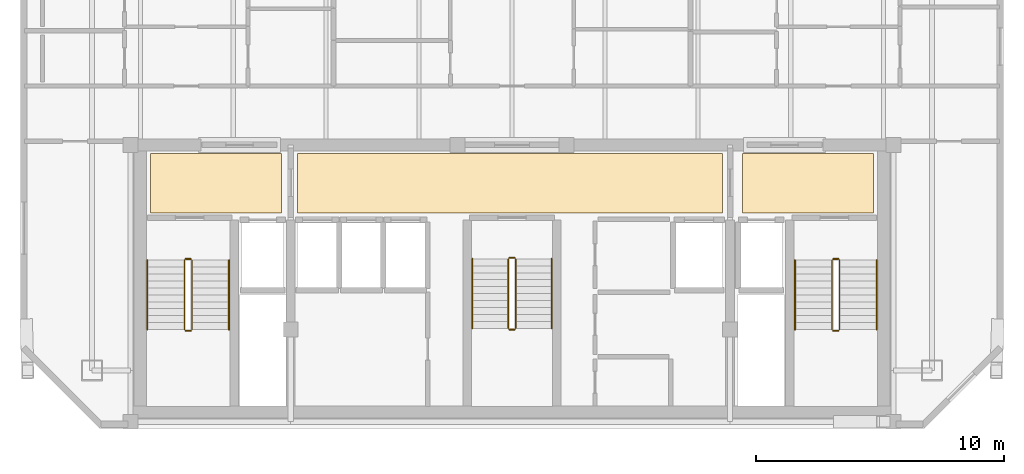
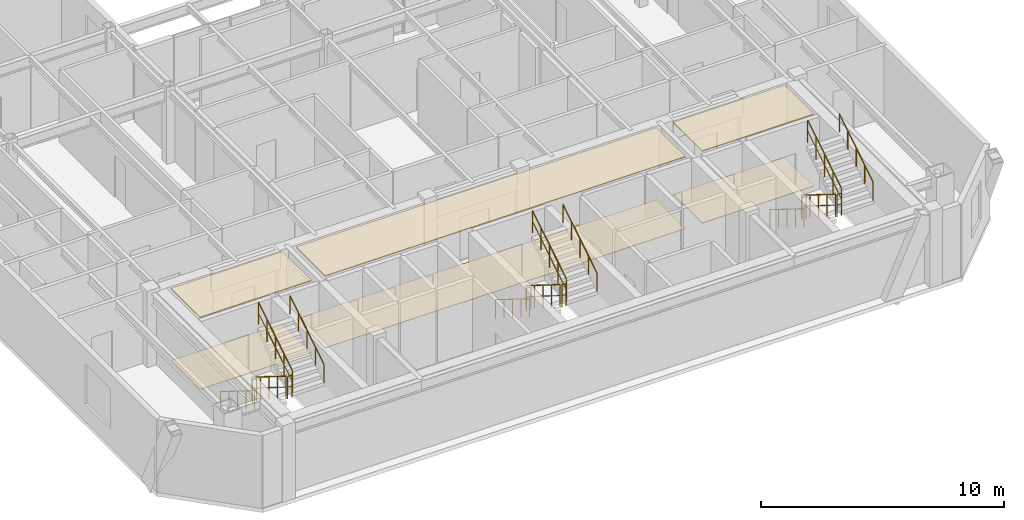
# One storey, part 10 of 10: 18 railings, 6 coverings.
"""IFC4 building model written with IfcOpenShell, lengths in metres."""

from ifc_helpers import new_model, si_unit, direction, frame, origin, origin_2d, place, context, subcontext, project, spatial, polyline, circle, outline, extrude, material, layer, layer_set, type_object, element, save


model = new_model("IFC4")

# Units and contexts
model_context = context("Model", 3, precision=1e-05, world=origin(), true_north=direction((0.0, 1.0)))
body_context = subcontext(model_context, "Body", "Model", "MODEL_VIEW")
ifc_project = project(units=[si_unit("LENGTHUNIT", "METRE"), si_unit("AREAUNIT", "SQUARE_METRE"), si_unit("VOLUMEUNIT", "CUBIC_METRE"), si_unit("PLANEANGLEUNIT", "RADIAN"), si_unit("MASSUNIT", "GRAM", prefix="KILO")], contexts=[model_context])

# Site, building, storey
site_placement = place(None, origin())
site = spatial("IfcSite", under=ifc_project, at=site_placement, CompositionType="ELEMENT")
building_placement = place(site_placement, origin())
building = spatial("IfcBuilding", under=site, at=building_placement, Name="Ventersveld Concourse Tower", CompositionType="ELEMENT")
storey_placement = place(building_placement, frame((0.0, 0.0, 313.050048828125)))
storey = spatial("IfcBuildingStorey", under=building, at=storey_placement, Name="L77", CompositionType="ELEMENT", Elevation=313.050048828125)

# Coverings
ifc_material_1 = material(Name="Mineral-fibre acoustic ceiling tile", Category="gypsum")
ifc_layer_1 = layer(ifc_material_1, 0.0400390625)
ifc_layer_set_1 = layer_set([ifc_layer_1], Name="Mineral-fibre acoustic ceiling tile")
covering_type_1 = type_object("IfcCoveringType", Name="COV-CEIL-ACOUSTIC", PredefinedType="CEILING", material=ifc_layer_set_1)
covering_1_placement = place(storey_placement, frame((0.0, 0.0, 3.60986328125)))
element("IfcCovering", 1, at=covering_1_placement, inside=storey, type_object=covering_type_1, Name="L77 North Lift Lobby Acoustic Ceiling", PredefinedType="CEILING", context=body_context, shape_type="SweptSolid", body=[
    extrude(outline(polyline([(20.10009765625, 8.699951171875), (37.25, 8.699951171875), (37.25, 11.10009765625), (20.10009765625, 11.10009765625), (20.10009765625, 8.699951171875)])), origin(), (0.0, 0.0, 1.0), 0.0400390625),
])
covering_2_placement = place(storey_placement, frame((0.0, 0.0, 3.60986328125)))
element("IfcCovering", 2, at=covering_2_placement, inside=storey, type_object=covering_type_1, Name="L77 West Firefighting Lobby Acoustic Ceiling", PredefinedType="CEILING", context=body_context, shape_type="SweptSolid", body=[
    extrude(outline(polyline([(14.14990234375, 8.699951171875), (19.449951171875, 8.699951171875), (19.449951171875, 11.10009765625), (14.14990234375, 11.10009765625), (14.14990234375, 8.699951171875)])), origin(), (0.0, 0.0, 1.0), 0.0400390625),
])
covering_3_placement = place(storey_placement, frame((0.0, 0.0, 3.60986328125)))
element("IfcCovering", 3, at=covering_3_placement, inside=storey, type_object=covering_type_1, Name="L77 East Firefighting Lobby Acoustic Ceiling", PredefinedType="CEILING", context=body_context, shape_type="SweptSolid", body=[
    extrude(outline(polyline([(38.050048828125, 8.699951171875), (43.35009765625, 8.699951171875), (43.35009765625, 11.10009765625), (38.050048828125, 11.10009765625), (38.050048828125, 8.699951171875)])), origin(), (0.0, 0.0, 1.0), 0.0400390625),
])
ifc_material_2 = material(Name="Polished Highveld granite terrazzo", Category="masonry")
ifc_layer_2 = layer(ifc_material_2, 0.02001953125)
ifc_layer_set_2 = layer_set([ifc_layer_2], Name="Polished Highveld granite terrazzo")
covering_type_2 = type_object("IfcCoveringType", Name="COV-FLOOR-TERRAZZO", PredefinedType="FLOORING", material=ifc_layer_set_2)
covering_4_placement = place(storey_placement, origin())
element("IfcCovering", 4, at=covering_4_placement, inside=storey, type_object=covering_type_2, Name="L77 North Lift Lobby Terrazzo Flooring", PredefinedType="FLOORING", context=body_context, shape_type="SweptSolid", body=[
    extrude(outline(polyline([(20.10009765625, 8.699951171875), (37.25, 8.699951171875), (37.25, 11.10009765625), (20.10009765625, 11.10009765625), (20.10009765625, 8.699951171875)])), origin(), (0.0, 0.0, 1.0), 0.02001953125),
])
covering_5_placement = place(storey_placement, origin())
element("IfcCovering", 5, at=covering_5_placement, inside=storey, type_object=covering_type_2, Name="L77 West Firefighting Lobby Terrazzo Flooring", PredefinedType="FLOORING", context=body_context, shape_type="SweptSolid", body=[
    extrude(outline(polyline([(14.14990234375, 8.699951171875), (19.449951171875, 8.699951171875), (19.449951171875, 11.10009765625), (14.14990234375, 11.10009765625), (14.14990234375, 8.699951171875)])), origin(), (0.0, 0.0, 1.0), 0.02001953125),
])
covering_6_placement = place(storey_placement, origin())
element("IfcCovering", 6, at=covering_6_placement, inside=storey, type_object=covering_type_2, Name="L77 East Firefighting Lobby Terrazzo Flooring", PredefinedType="FLOORING", context=body_context, shape_type="SweptSolid", body=[
    extrude(outline(polyline([(38.050048828125, 8.699951171875), (43.35009765625, 8.699951171875), (43.35009765625, 11.10009765625), (38.050048828125, 11.10009765625), (38.050048828125, 8.699951171875)])), origin(), (0.0, 0.0, 1.0), 0.02001953125),
])

# Railings
ifc_material_3 = material(Name="Brushed stainless steel 316", Category="steel")
railing_type_1 = type_object("IfcRailingType", Name="GD-BAL-115", PredefinedType="GUARDRAIL", material=ifc_material_3)
railing_1_placement = place(storey_placement, frame((15.530029296875, 6.800048828125, 0.175048828125)))
element("IfcRailing", 7, at=railing_1_placement, inside=storey, type_object=railing_type_1, Name="L77 ST-01 stair guard 1", PredefinedType="GUARDRAIL", context=body_context, shape_type="SweptSolid", body=[
    extrude(circle(Radius=0.02392578125, at=origin_2d()), frame((0.0, 0.0, 1.1259765625), z_axis=(0.0, -0.848002457836, 0.529992293815), x_axis=(1.0, 0.0, 0.0)), (0.0, 0.0, 1.0), 3.302001953125),
    extrude(circle(Radius=0.01611328125, at=origin_2d()), frame((0.0, 0.0, 0.574951171875), z_axis=(0.0, -0.848002457836, 0.529992293815), x_axis=(1.0, 0.0, 0.0)), (0.0, 0.0, 1.0), 3.302001953125),
    extrude(circle(Radius=0.02099609375, at=origin_2d()), origin(), (0.0, 0.0, 1.0), 1.101806640625),
    extrude(circle(Radius=0.02099609375, at=origin_2d()), frame((0.0, -0.699951171875, 0.4375)), (0.0, 0.0, 1.0), 1.101806640625),
    extrude(circle(Radius=0.02099609375, at=origin_2d()), frame((0.0, -1.39990234375, 0.875)), (0.0, 0.0, 1.0), 1.101806640625),
    extrude(circle(Radius=0.02099609375, at=origin_2d()), frame((0.0, -2.10009765625, 1.3125)), (0.0, 0.0, 1.0), 1.101806640625),
    extrude(circle(Radius=0.02099609375, at=origin_2d()), frame((0.0, -2.800048828125, 1.75)), (0.0, 0.0, 1.0), 1.101806640625),
])
railing_2_placement = place(storey_placement, frame((15.580078125, 3.949951171875, 1.925048828125)))
element("IfcRailing", 8, at=railing_2_placement, inside=storey, type_object=railing_type_1, Name="L77 ST-01 stair guard 2", PredefinedType="GUARDRAIL", context=body_context, shape_type="SweptSolid", body=[
    extrude(circle(Radius=0.02392578125, at=origin_2d()), frame((0.0, 0.0, 1.1259765625), z_axis=(1.0, 0.0, 0.0), x_axis=(0.0, 1.0, 0.0)), (0.0, 0.0, 1.0), 0.199951171875),
    extrude(circle(Radius=0.01611328125, at=origin_2d()), frame((0.0, 0.0, 0.574951171875), z_axis=(1.0, 0.0, 0.0), x_axis=(0.0, 1.0, 0.0)), (0.0, 0.0, 1.0), 0.199951171875),
    extrude(circle(Radius=0.02099609375, at=origin_2d()), origin(), (0.0, 0.0, 1.0), 1.101806640625),
    extrude(circle(Radius=0.02099609375, at=origin_2d()), frame((0.199951171875, 0.0, 0.0)), (0.0, 0.0, 1.0), 1.101806640625),
])
railing_3_placement = place(storey_placement, frame((15.830078125, 4.0, 2.099853515625)))
element("IfcRailing", 9, at=railing_3_placement, inside=storey, type_object=railing_type_1, Name="L77 ST-01 stair guard 3", PredefinedType="GUARDRAIL", context=body_context, shape_type="SweptSolid", body=[
    extrude(circle(Radius=0.02392578125, at=origin_2d()), frame((0.0, 0.0, 1.1259765625), z_axis=(0.0, 0.848002457836, 0.529992293815), x_axis=(-1.0, 0.0, 0.0)), (0.0, 0.0, 1.0), 3.302001953125),
    extrude(circle(Radius=0.01611328125, at=origin_2d()), frame((0.0, 0.0, 0.574951171875), z_axis=(0.0, 0.848002457836, 0.529992293815), x_axis=(-1.0, 0.0, 0.0)), (0.0, 0.0, 1.0), 3.302001953125),
    extrude(circle(Radius=0.02099609375, at=origin_2d()), origin(), (0.0, 0.0, 1.0), 1.101806640625),
    extrude(circle(Radius=0.02099609375, at=origin_2d()), frame((0.0, 0.699951171875, 0.4375)), (0.0, 0.0, 1.0), 1.101806640625),
    extrude(circle(Radius=0.02099609375, at=origin_2d()), frame((0.0, 1.39990234375, 0.875)), (0.0, 0.0, 1.0), 1.101806640625),
    extrude(circle(Radius=0.02099609375, at=origin_2d()), frame((0.0, 2.10009765625, 1.3125)), (0.0, 0.0, 1.0), 1.101806640625),
    extrude(circle(Radius=0.02099609375, at=origin_2d()), frame((0.0, 2.800048828125, 1.75)), (0.0, 0.0, 1.0), 1.101806640625),
])
railing_4_placement = place(storey_placement, frame((15.580078125, 6.85009765625, 0.0)))
element("IfcRailing", 10, at=railing_4_placement, inside=storey, type_object=railing_type_1, Name="L77 ST-01 stair guard 4", PredefinedType="GUARDRAIL", context=body_context, shape_type="SweptSolid", body=[
    extrude(circle(Radius=0.02392578125, at=origin_2d()), frame((0.0, 0.0, 1.1259765625), z_axis=(1.0, 0.0, 0.0), x_axis=(0.0, 1.0, 0.0)), (0.0, 0.0, 1.0), 0.199951171875),
    extrude(circle(Radius=0.01611328125, at=origin_2d()), frame((0.0, 0.0, 0.574951171875), z_axis=(1.0, 0.0, 0.0), x_axis=(0.0, 1.0, 0.0)), (0.0, 0.0, 1.0), 0.199951171875),
    extrude(circle(Radius=0.02099609375, at=origin_2d()), origin(), (0.0, 0.0, 1.0), 1.101806640625),
    extrude(circle(Radius=0.02099609375, at=origin_2d()), frame((0.199951171875, 0.0, 0.0)), (0.0, 0.0, 1.0), 1.101806640625),
])
railing_5_placement = place(storey_placement, frame((41.669921875, 6.800048828125, 0.175048828125)))
element("IfcRailing", 11, at=railing_5_placement, inside=storey, type_object=railing_type_1, Name="L77 ST-02 stair guard 1", PredefinedType="GUARDRAIL", context=body_context, shape_type="SweptSolid", body=[
    extrude(circle(Radius=0.02392578125, at=origin_2d()), frame((0.0, 0.0, 1.1259765625), z_axis=(0.0, -0.848002457836, 0.529992293815), x_axis=(1.0, 0.0, 0.0)), (0.0, 0.0, 1.0), 3.302001953125),
    extrude(circle(Radius=0.01611328125, at=origin_2d()), frame((0.0, 0.0, 0.574951171875), z_axis=(0.0, -0.848002457836, 0.529992293815), x_axis=(1.0, 0.0, 0.0)), (0.0, 0.0, 1.0), 3.302001953125),
    extrude(circle(Radius=0.02099609375, at=origin_2d()), origin(), (0.0, 0.0, 1.0), 1.101806640625),
    extrude(circle(Radius=0.02099609375, at=origin_2d()), frame((0.0, -0.699951171875, 0.4375)), (0.0, 0.0, 1.0), 1.101806640625),
    extrude(circle(Radius=0.02099609375, at=origin_2d()), frame((0.0, -1.39990234375, 0.875)), (0.0, 0.0, 1.0), 1.101806640625),
    extrude(circle(Radius=0.02099609375, at=origin_2d()), frame((0.0, -2.10009765625, 1.3125)), (0.0, 0.0, 1.0), 1.101806640625),
    extrude(circle(Radius=0.02099609375, at=origin_2d()), frame((0.0, -2.800048828125, 1.75)), (0.0, 0.0, 1.0), 1.101806640625),
])
railing_6_placement = place(storey_placement, frame((41.719970703125, 3.949951171875, 1.925048828125)))
element("IfcRailing", 12, at=railing_6_placement, inside=storey, type_object=railing_type_1, Name="L77 ST-02 stair guard 2", PredefinedType="GUARDRAIL", context=body_context, shape_type="SweptSolid", body=[
    extrude(circle(Radius=0.02392578125, at=origin_2d()), frame((0.0, 0.0, 1.1259765625), z_axis=(1.0, 0.0, 0.0), x_axis=(0.0, 1.0, 0.0)), (0.0, 0.0, 1.0), 0.199951171875),
    extrude(circle(Radius=0.01611328125, at=origin_2d()), frame((0.0, 0.0, 0.574951171875), z_axis=(1.0, 0.0, 0.0), x_axis=(0.0, 1.0, 0.0)), (0.0, 0.0, 1.0), 0.199951171875),
    extrude(circle(Radius=0.02099609375, at=origin_2d()), origin(), (0.0, 0.0, 1.0), 1.101806640625),
    extrude(circle(Radius=0.02099609375, at=origin_2d()), frame((0.199951171875, 0.0, 0.0)), (0.0, 0.0, 1.0), 1.101806640625),
])
railing_7_placement = place(storey_placement, frame((41.969970703125, 4.0, 2.099853515625)))
element("IfcRailing", 13, at=railing_7_placement, inside=storey, type_object=railing_type_1, Name="L77 ST-02 stair guard 3", PredefinedType="GUARDRAIL", context=body_context, shape_type="SweptSolid", body=[
    extrude(circle(Radius=0.02392578125, at=origin_2d()), frame((0.0, 0.0, 1.1259765625), z_axis=(0.0, 0.848002457836, 0.529992293815), x_axis=(-1.0, 0.0, 0.0)), (0.0, 0.0, 1.0), 3.302001953125),
    extrude(circle(Radius=0.01611328125, at=origin_2d()), frame((0.0, 0.0, 0.574951171875), z_axis=(0.0, 0.848002457836, 0.529992293815), x_axis=(-1.0, 0.0, 0.0)), (0.0, 0.0, 1.0), 3.302001953125),
    extrude(circle(Radius=0.02099609375, at=origin_2d()), origin(), (0.0, 0.0, 1.0), 1.101806640625),
    extrude(circle(Radius=0.02099609375, at=origin_2d()), frame((0.0, 0.699951171875, 0.4375)), (0.0, 0.0, 1.0), 1.101806640625),
    extrude(circle(Radius=0.02099609375, at=origin_2d()), frame((0.0, 1.39990234375, 0.875)), (0.0, 0.0, 1.0), 1.101806640625),
    extrude(circle(Radius=0.02099609375, at=origin_2d()), frame((0.0, 2.10009765625, 1.3125)), (0.0, 0.0, 1.0), 1.101806640625),
    extrude(circle(Radius=0.02099609375, at=origin_2d()), frame((0.0, 2.800048828125, 1.75)), (0.0, 0.0, 1.0), 1.101806640625),
])
railing_8_placement = place(storey_placement, frame((41.719970703125, 6.85009765625, 0.0)))
element("IfcRailing", 14, at=railing_8_placement, inside=storey, type_object=railing_type_1, Name="L77 ST-02 stair guard 4", PredefinedType="GUARDRAIL", context=body_context, shape_type="SweptSolid", body=[
    extrude(circle(Radius=0.02392578125, at=origin_2d()), frame((0.0, 0.0, 1.1259765625), z_axis=(1.0, 0.0, 0.0), x_axis=(0.0, 1.0, 0.0)), (0.0, 0.0, 1.0), 0.199951171875),
    extrude(circle(Radius=0.01611328125, at=origin_2d()), frame((0.0, 0.0, 0.574951171875), z_axis=(1.0, 0.0, 0.0), x_axis=(0.0, 1.0, 0.0)), (0.0, 0.0, 1.0), 0.199951171875),
    extrude(circle(Radius=0.02099609375, at=origin_2d()), origin(), (0.0, 0.0, 1.0), 1.101806640625),
    extrude(circle(Radius=0.02099609375, at=origin_2d()), frame((0.199951171875, 0.0, 0.0)), (0.0, 0.0, 1.0), 1.101806640625),
])
railing_9_placement = place(storey_placement, frame((28.60009765625, 6.85009765625, 0.175048828125)))
element("IfcRailing", 15, at=railing_9_placement, inside=storey, type_object=railing_type_1, Name="L77 ST-03 stair guard 1", PredefinedType="GUARDRAIL", context=body_context, shape_type="SweptSolid", body=[
    extrude(circle(Radius=0.02392578125, at=origin_2d()), frame((0.0, 0.0, 1.1259765625), z_axis=(0.0, -0.848002457836, 0.529992293815), x_axis=(1.0, 0.0, 0.0)), (0.0, 0.0, 1.0), 3.302001953125),
    extrude(circle(Radius=0.01611328125, at=origin_2d()), frame((0.0, 0.0, 0.574951171875), z_axis=(0.0, -0.848002457836, 0.529992293815), x_axis=(1.0, 0.0, 0.0)), (0.0, 0.0, 1.0), 3.302001953125),
    extrude(circle(Radius=0.02099609375, at=origin_2d()), origin(), (0.0, 0.0, 1.0), 1.101806640625),
    extrude(circle(Radius=0.02099609375, at=origin_2d()), frame((0.0, -0.699951171875, 0.4375)), (0.0, 0.0, 1.0), 1.101806640625),
    extrude(circle(Radius=0.02099609375, at=origin_2d()), frame((0.0, -1.39990234375, 0.875)), (0.0, 0.0, 1.0), 1.101806640625),
    extrude(circle(Radius=0.02099609375, at=origin_2d()), frame((0.0, -2.10009765625, 1.3125)), (0.0, 0.0, 1.0), 1.101806640625),
    extrude(circle(Radius=0.02099609375, at=origin_2d()), frame((0.0, -2.800048828125, 1.75)), (0.0, 0.0, 1.0), 1.101806640625),
])
railing_10_placement = place(storey_placement, frame((28.64990234375, 4.0, 1.925048828125)))
element("IfcRailing", 16, at=railing_10_placement, inside=storey, type_object=railing_type_1, Name="L77 ST-03 stair guard 2", PredefinedType="GUARDRAIL", context=body_context, shape_type="SweptSolid", body=[
    extrude(circle(Radius=0.02392578125, at=origin_2d()), frame((0.0, 0.0, 1.1259765625), z_axis=(1.0, 0.0, 0.0), x_axis=(0.0, 1.0, 0.0)), (0.0, 0.0, 1.0), 0.2001953125),
    extrude(circle(Radius=0.01611328125, at=origin_2d()), frame((0.0, 0.0, 0.574951171875), z_axis=(1.0, 0.0, 0.0), x_axis=(0.0, 1.0, 0.0)), (0.0, 0.0, 1.0), 0.2001953125),
    extrude(circle(Radius=0.02099609375, at=origin_2d()), origin(), (0.0, 0.0, 1.0), 1.101806640625),
    extrude(circle(Radius=0.02099609375, at=origin_2d()), frame((0.2001953125, 0.0, 0.0)), (0.0, 0.0, 1.0), 1.101806640625),
])
railing_11_placement = place(storey_placement, frame((28.89990234375, 4.050048828125, 2.099853515625)))
element("IfcRailing", 17, at=railing_11_placement, inside=storey, type_object=railing_type_1, Name="L77 ST-03 stair guard 3", PredefinedType="GUARDRAIL", context=body_context, shape_type="SweptSolid", body=[
    extrude(circle(Radius=0.02392578125, at=origin_2d()), frame((0.0, 0.0, 1.1259765625), z_axis=(0.0, 0.848002457836, 0.529992293815), x_axis=(-1.0, 0.0, 0.0)), (0.0, 0.0, 1.0), 3.302001953125),
    extrude(circle(Radius=0.01611328125, at=origin_2d()), frame((0.0, 0.0, 0.574951171875), z_axis=(0.0, 0.848002457836, 0.529992293815), x_axis=(-1.0, 0.0, 0.0)), (0.0, 0.0, 1.0), 3.302001953125),
    extrude(circle(Radius=0.02099609375, at=origin_2d()), origin(), (0.0, 0.0, 1.0), 1.101806640625),
    extrude(circle(Radius=0.02099609375, at=origin_2d()), frame((0.0, 0.699951171875, 0.4375)), (0.0, 0.0, 1.0), 1.101806640625),
    extrude(circle(Radius=0.02099609375, at=origin_2d()), frame((0.0, 1.39990234375, 0.875)), (0.0, 0.0, 1.0), 1.101806640625),
    extrude(circle(Radius=0.02099609375, at=origin_2d()), frame((0.0, 2.10009765625, 1.3125)), (0.0, 0.0, 1.0), 1.101806640625),
    extrude(circle(Radius=0.02099609375, at=origin_2d()), frame((0.0, 2.800048828125, 1.75)), (0.0, 0.0, 1.0), 1.101806640625),
])
railing_12_placement = place(storey_placement, frame((28.64990234375, 6.89990234375, 0.0)))
element("IfcRailing", 18, at=railing_12_placement, inside=storey, type_object=railing_type_1, Name="L77 ST-03 stair guard 4", PredefinedType="GUARDRAIL", context=body_context, shape_type="SweptSolid", body=[
    extrude(circle(Radius=0.02392578125, at=origin_2d()), frame((0.0, 0.0, 1.1259765625), z_axis=(1.0, 0.0, 0.0), x_axis=(0.0, 1.0, 0.0)), (0.0, 0.0, 1.0), 0.2001953125),
    extrude(circle(Radius=0.01611328125, at=origin_2d()), frame((0.0, 0.0, 0.574951171875), z_axis=(1.0, 0.0, 0.0), x_axis=(0.0, 1.0, 0.0)), (0.0, 0.0, 1.0), 0.2001953125),
    extrude(circle(Radius=0.02099609375, at=origin_2d()), origin(), (0.0, 0.0, 1.0), 1.101806640625),
    extrude(circle(Radius=0.02099609375, at=origin_2d()), frame((0.2001953125, 0.0, 0.0)), (0.0, 0.0, 1.0), 1.101806640625),
])
railing_type_2 = type_object("IfcRailingType", Name="HR-RMP-095", PredefinedType="HANDRAIL", material=ifc_material_3)
railing_13_placement = place(storey_placement, frame((14.030029296875, 6.800048828125, 0.175048828125)))
element("IfcRailing", 19, at=railing_13_placement, inside=storey, type_object=railing_type_2, Name="L77 ST-01 stair handrail 1", PredefinedType="HANDRAIL", context=body_context, shape_type="SweptSolid", body=[
    extrude(circle(Radius=0.02392578125, at=origin_2d()), frame((0.0, 0.0, 0.92578125), z_axis=(0.0, -0.848002457836, 0.529992293815), x_axis=(1.0, 0.0, 0.0)), (0.0, 0.0, 1.0), 3.302001953125),
    extrude(circle(Radius=0.02099609375, at=origin_2d()), origin(), (0.0, 0.0, 1.0), 0.90185546875),
    extrude(circle(Radius=0.02099609375, at=origin_2d()), frame((0.0, -0.699951171875, 0.4375)), (0.0, 0.0, 1.0), 0.90185546875),
    extrude(circle(Radius=0.02099609375, at=origin_2d()), frame((0.0, -1.39990234375, 0.875)), (0.0, 0.0, 1.0), 0.90185546875),
    extrude(circle(Radius=0.02099609375, at=origin_2d()), frame((0.0, -2.10009765625, 1.3125)), (0.0, 0.0, 1.0), 0.90185546875),
    extrude(circle(Radius=0.02099609375, at=origin_2d()), frame((0.0, -2.800048828125, 1.75)), (0.0, 0.0, 1.0), 0.90185546875),
])
railing_14_placement = place(storey_placement, frame((17.330078125, 4.0, 2.099853515625)))
element("IfcRailing", 20, at=railing_14_placement, inside=storey, type_object=railing_type_2, Name="L77 ST-01 stair handrail 2", PredefinedType="HANDRAIL", context=body_context, shape_type="SweptSolid", body=[
    extrude(circle(Radius=0.02392578125, at=origin_2d()), frame((0.0, 0.0, 0.92578125), z_axis=(0.0, 0.848002457836, 0.529992293815), x_axis=(-1.0, 0.0, 0.0)), (0.0, 0.0, 1.0), 3.302001953125),
    extrude(circle(Radius=0.02099609375, at=origin_2d()), origin(), (0.0, 0.0, 1.0), 0.90185546875),
    extrude(circle(Radius=0.02099609375, at=origin_2d()), frame((0.0, 0.699951171875, 0.4375)), (0.0, 0.0, 1.0), 0.90185546875),
    extrude(circle(Radius=0.02099609375, at=origin_2d()), frame((0.0, 1.39990234375, 0.875)), (0.0, 0.0, 1.0), 0.90185546875),
    extrude(circle(Radius=0.02099609375, at=origin_2d()), frame((0.0, 2.10009765625, 1.3125)), (0.0, 0.0, 1.0), 0.90185546875),
    extrude(circle(Radius=0.02099609375, at=origin_2d()), frame((0.0, 2.800048828125, 1.75)), (0.0, 0.0, 1.0), 0.90185546875),
])
railing_15_placement = place(storey_placement, frame((40.169921875, 6.800048828125, 0.175048828125)))
element("IfcRailing", 21, at=railing_15_placement, inside=storey, type_object=railing_type_2, Name="L77 ST-02 stair handrail 1", PredefinedType="HANDRAIL", context=body_context, shape_type="SweptSolid", body=[
    extrude(circle(Radius=0.02392578125, at=origin_2d()), frame((0.0, 0.0, 0.92578125), z_axis=(0.0, -0.848002457836, 0.529992293815), x_axis=(1.0, 0.0, 0.0)), (0.0, 0.0, 1.0), 3.302001953125),
    extrude(circle(Radius=0.02099609375, at=origin_2d()), origin(), (0.0, 0.0, 1.0), 0.90185546875),
    extrude(circle(Radius=0.02099609375, at=origin_2d()), frame((0.0, -0.699951171875, 0.4375)), (0.0, 0.0, 1.0), 0.90185546875),
    extrude(circle(Radius=0.02099609375, at=origin_2d()), frame((0.0, -1.39990234375, 0.875)), (0.0, 0.0, 1.0), 0.90185546875),
    extrude(circle(Radius=0.02099609375, at=origin_2d()), frame((0.0, -2.10009765625, 1.3125)), (0.0, 0.0, 1.0), 0.90185546875),
    extrude(circle(Radius=0.02099609375, at=origin_2d()), frame((0.0, -2.800048828125, 1.75)), (0.0, 0.0, 1.0), 0.90185546875),
])
railing_16_placement = place(storey_placement, frame((43.469970703125, 4.0, 2.099853515625)))
element("IfcRailing", 22, at=railing_16_placement, inside=storey, type_object=railing_type_2, Name="L77 ST-02 stair handrail 2", PredefinedType="HANDRAIL", context=body_context, shape_type="SweptSolid", body=[
    extrude(circle(Radius=0.02392578125, at=origin_2d()), frame((0.0, 0.0, 0.92578125), z_axis=(0.0, 0.848002457836, 0.529992293815), x_axis=(-1.0, 0.0, 0.0)), (0.0, 0.0, 1.0), 3.302001953125),
    extrude(circle(Radius=0.02099609375, at=origin_2d()), origin(), (0.0, 0.0, 1.0), 0.90185546875),
    extrude(circle(Radius=0.02099609375, at=origin_2d()), frame((0.0, 0.699951171875, 0.4375)), (0.0, 0.0, 1.0), 0.90185546875),
    extrude(circle(Radius=0.02099609375, at=origin_2d()), frame((0.0, 1.39990234375, 0.875)), (0.0, 0.0, 1.0), 0.90185546875),
    extrude(circle(Radius=0.02099609375, at=origin_2d()), frame((0.0, 2.10009765625, 1.3125)), (0.0, 0.0, 1.0), 0.90185546875),
    extrude(circle(Radius=0.02099609375, at=origin_2d()), frame((0.0, 2.800048828125, 1.75)), (0.0, 0.0, 1.0), 0.90185546875),
])
railing_17_placement = place(storey_placement, frame((27.14990234375, 6.85009765625, 0.175048828125)))
element("IfcRailing", 23, at=railing_17_placement, inside=storey, type_object=railing_type_2, Name="L77 ST-03 stair handrail 1", PredefinedType="HANDRAIL", context=body_context, shape_type="SweptSolid", body=[
    extrude(circle(Radius=0.02392578125, at=origin_2d()), frame((0.0, 0.0, 0.92578125), z_axis=(0.0, -0.848002457836, 0.529992293815), x_axis=(1.0, 0.0, 0.0)), (0.0, 0.0, 1.0), 3.302001953125),
    extrude(circle(Radius=0.02099609375, at=origin_2d()), origin(), (0.0, 0.0, 1.0), 0.90185546875),
    extrude(circle(Radius=0.02099609375, at=origin_2d()), frame((0.0, -0.699951171875, 0.4375)), (0.0, 0.0, 1.0), 0.90185546875),
    extrude(circle(Radius=0.02099609375, at=origin_2d()), frame((0.0, -1.39990234375, 0.875)), (0.0, 0.0, 1.0), 0.90185546875),
    extrude(circle(Radius=0.02099609375, at=origin_2d()), frame((0.0, -2.10009765625, 1.3125)), (0.0, 0.0, 1.0), 0.90185546875),
    extrude(circle(Radius=0.02099609375, at=origin_2d()), frame((0.0, -2.800048828125, 1.75)), (0.0, 0.0, 1.0), 0.90185546875),
])
railing_18_placement = place(storey_placement, frame((30.35009765625, 4.050048828125, 2.099853515625)))
element("IfcRailing", 24, at=railing_18_placement, inside=storey, type_object=railing_type_2, Name="L77 ST-03 stair handrail 2", PredefinedType="HANDRAIL", context=body_context, shape_type="SweptSolid", body=[
    extrude(circle(Radius=0.02392578125, at=origin_2d()), frame((0.0, 0.0, 0.92578125), z_axis=(0.0, 0.848002457836, 0.529992293815), x_axis=(-1.0, 0.0, 0.0)), (0.0, 0.0, 1.0), 3.302001953125),
    extrude(circle(Radius=0.02099609375, at=origin_2d()), origin(), (0.0, 0.0, 1.0), 0.90185546875),
    extrude(circle(Radius=0.02099609375, at=origin_2d()), frame((0.0, 0.699951171875, 0.4375)), (0.0, 0.0, 1.0), 0.90185546875),
    extrude(circle(Radius=0.02099609375, at=origin_2d()), frame((0.0, 1.39990234375, 0.875)), (0.0, 0.0, 1.0), 0.90185546875),
    extrude(circle(Radius=0.02099609375, at=origin_2d()), frame((0.0, 2.10009765625, 1.3125)), (0.0, 0.0, 1.0), 0.90185546875),
    extrude(circle(Radius=0.02099609375, at=origin_2d()), frame((0.0, 2.800048828125, 1.75)), (0.0, 0.0, 1.0), 0.90185546875),
])

save(model, "model.ifc")
